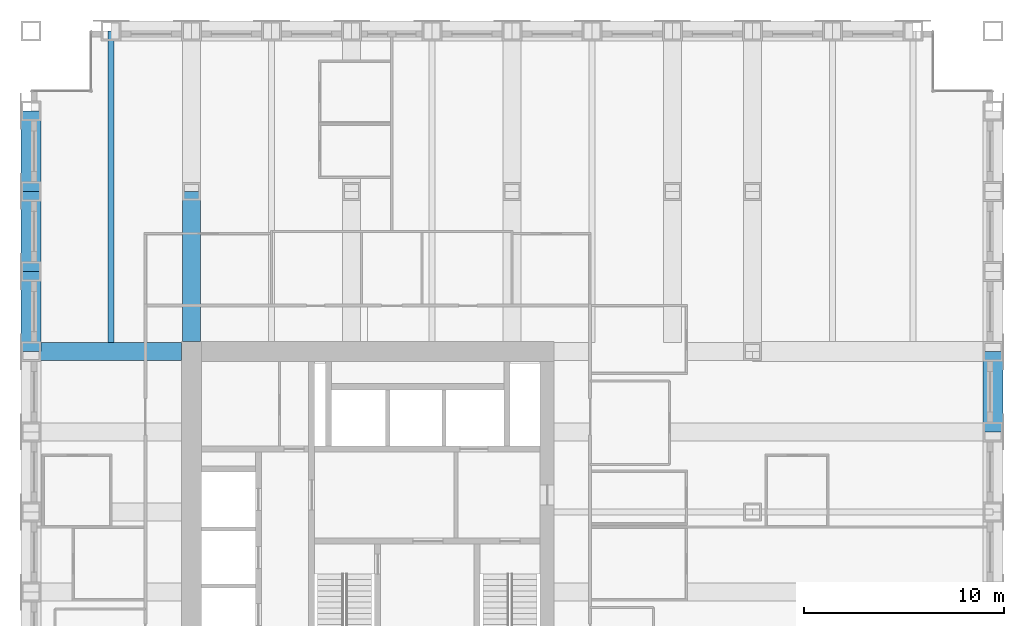
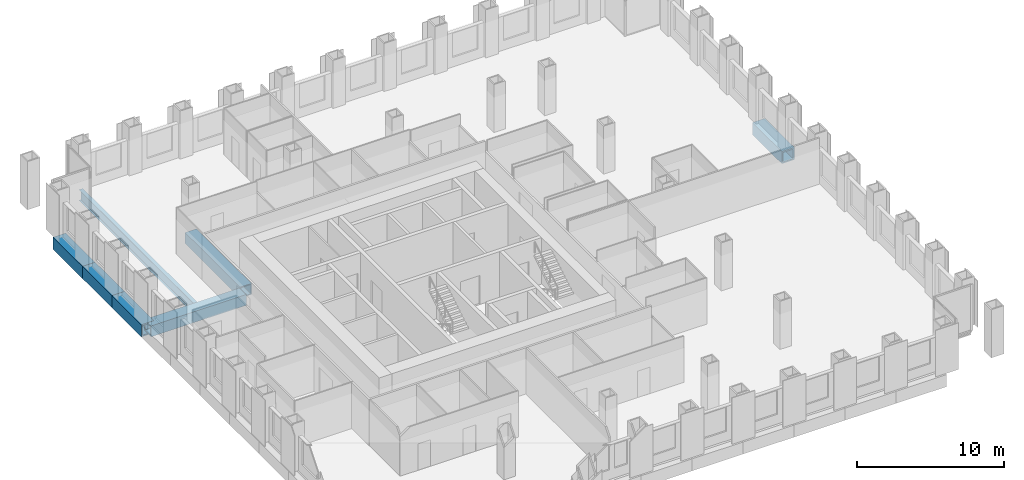
# One storey, part 5 of 16: 7 beams.
"""IFC4 building model written with IfcOpenShell, lengths in metres."""

from ifc_helpers import new_model, si_unit, direction, frame, origin, origin_2d, place, context, subcontext, project, spatial, hollow_rectangle, i_section, extrude, material, material_profile, profile_set, type_object, element, save


model = new_model("IFC4")

# Units and contexts
model_context = context("Model", 3, precision=1e-05, world=origin(), true_north=direction((0.0, 1.0)))
body_context = subcontext(model_context, "Body", "Model", "MODEL_VIEW")
ifc_project = project(units=[si_unit("LENGTHUNIT", "METRE"), si_unit("AREAUNIT", "SQUARE_METRE"), si_unit("VOLUMEUNIT", "CUBIC_METRE"), si_unit("PLANEANGLEUNIT", "RADIAN"), si_unit("MASSUNIT", "GRAM", prefix="KILO")], contexts=[model_context])

# Site, building, storey
site_placement = place(None, origin())
site = spatial("IfcSite", under=ifc_project, at=site_placement, CompositionType="ELEMENT")
building_placement = place(site_placement, origin())
building = spatial("IfcBuilding", under=site, at=building_placement, Name="Rimbunsela Tower", CompositionType="ELEMENT")
storey_placement = place(building_placement, frame((0.0, 0.0, 125.39990234375)))
storey = spatial("IfcBuildingStorey", under=building, at=storey_placement, Name="L30", CompositionType="ELEMENT", Elevation=125.39990234375)

# Beams
ifc_material_1 = material(Name="Steel BJ 55 (fy 410 MPa)", Category="steel")
ifc_material_profile_1 = material_profile(ifc_material_1, hollow_rectangle(XDim=1.0, YDim=1.0, WallThickness=0.10009765625, at=origin_2d()), Name="BOX 1000x1000x100")
ifc_profile_set_1 = profile_set([ifc_material_profile_1], Name="Steel BJ 55 (fy 410 MPa)")
beam_type_1 = type_object("IfcBeamType", Name="Beam BOX 1000x1000x100", PredefinedType="BEAM", material=ifc_profile_set_1)
for number, where, z_axis, x_axis, name in (
    (1, (10.0, 36.0, -0.64990234375), (0.0, 1.0, 0.0), (-1.0, 0.0, 0.0), "Beam B3 L30"),
    (2, (10.0, 40.0, -0.64990234375), (0.0, 1.0, 0.0), (-1.0, 0.0, 0.0), "Beam B3 L30"),
    (3, (10.0, 44.0, -0.64990234375), (0.0, 1.0, 0.0), (-1.0, 0.0, 0.0), "Beam B3 L30"),
    (4, (58.0, 32.0, -0.64990234375), (0.0, 1.0, 0.0), (-1.0, 0.0, 0.0), "Beam B3 L30"),
):
    element("IfcBeam", number, at=place(storey_placement, frame(where, z_axis=z_axis, x_axis=x_axis)), inside=storey, type_object=beam_type_1, Name=name, PredefinedType="BEAM", context=body_context, shape_type="SweptSolid", body=[
        extrude(hollow_rectangle(XDim=1.0, YDim=1.0, WallThickness=0.10009765625, at=origin_2d()), origin(), (0.0, 0.0, 1.0), 4.0),
    ])
ifc_material_2 = material(Name="Steel BJ 55 (fy 410 MPa)", Category="steel")
ifc_material_profile_2 = material_profile(ifc_material_2, hollow_rectangle(XDim=0.89990234375, YDim=0.89990234375, WallThickness=0.06005859375, at=origin_2d()), Name="BOX 900x900x60")
ifc_profile_set_2 = profile_set([ifc_material_profile_2], Name="Steel BJ 55 (fy 410 MPa)")
beam_type_2 = type_object("IfcBeamType", Name="Beam BOX 900x900x60", PredefinedType="BEAM", material=ifc_profile_set_2)
for number, where, z_axis, x_axis, name in (
    (5, (10.0, 36.0, -0.599853515625), (1.0, 0.0, 0.0), (0.0, 1.0, 0.0), "Beam B1 L30"),
    (6, (18.0, 36.5, -0.599853515625), (0.0, 1.0, 0.0), (-1.0, 0.0, 0.0), "Beam B1 L30"),
):
    element("IfcBeam", number, at=place(storey_placement, frame(where, z_axis=z_axis, x_axis=x_axis)), inside=storey, type_object=beam_type_2, Name=name, PredefinedType="BEAM", context=body_context, shape_type="SweptSolid", body=[
        extrude(hollow_rectangle(XDim=0.89990234375, YDim=0.89990234375, WallThickness=0.06005859375, at=origin_2d()), origin(), (0.0, 0.0, 1.0), 7.5),
    ])
ifc_material_3 = material(Name="Steel BJ 55 (fy 410 MPa)", Category="steel")
ifc_material_profile_3 = material_profile(ifc_material_3, i_section(OverallWidth=0.300048828125, OverallDepth=0.89990234375, WebThickness=0.01611328125, FlangeThickness=0.028076171875, FilletRadius=0.028076171875, at=origin_2d()), Name="H 900x300x16x28")
ifc_profile_set_3 = profile_set([ifc_material_profile_3], Name="Steel BJ 55 (fy 410 MPa)")
beam_type_3 = type_object("IfcBeamType", Name="Beam H 900x300x16x28", PredefinedType="BEAM", material=ifc_profile_set_3)
beam_placement = place(storey_placement, frame((14.0, 36.449951171875, -0.599853515625), z_axis=(0.0, 1.0, 0.0), x_axis=(-1.0, 0.0, 0.0)))
element("IfcBeam", 7, at=beam_placement, inside=storey, type_object=beam_type_3, Name="Beam B2 L30", PredefinedType="BEAM", context=body_context, shape_type="SweptSolid", body=[
    extrude(i_section(OverallWidth=0.300048828125, OverallDepth=0.89990234375, WebThickness=0.01611328125, FlangeThickness=0.028076171875, FilletRadius=0.028076171875, at=origin_2d()), origin(), (0.0, 0.0, 1.0), 15.550048828125),
])

save(model, "model.ifc")
